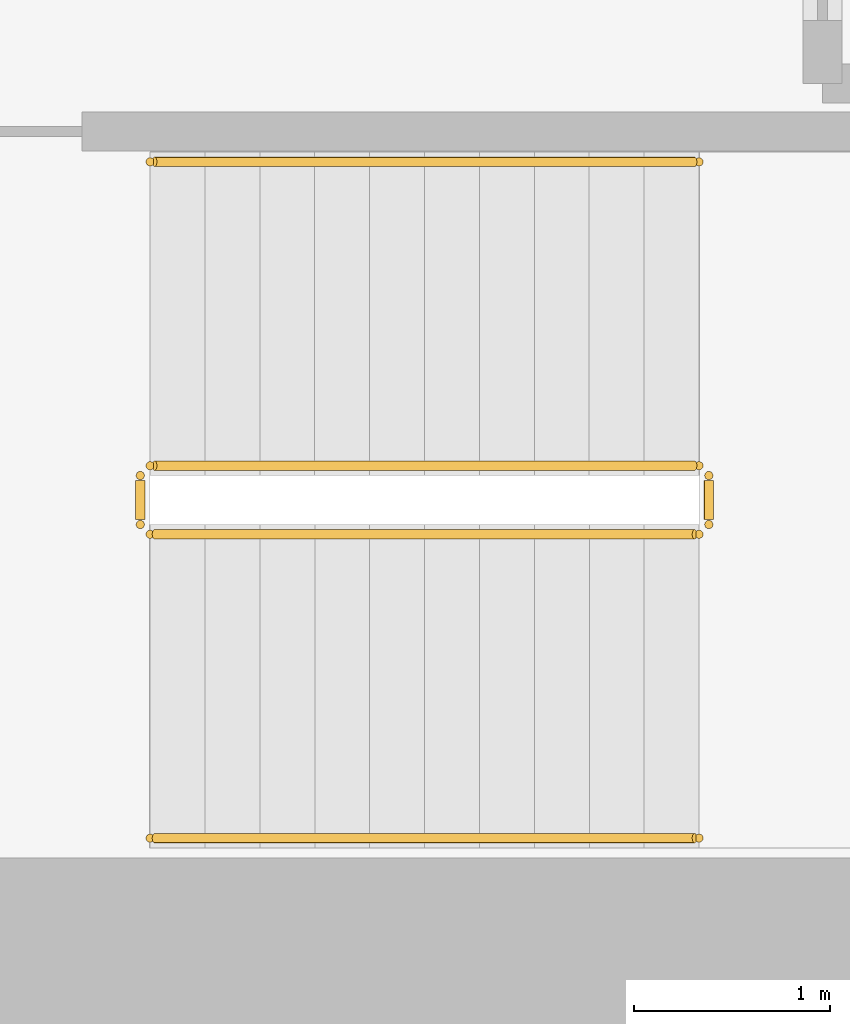
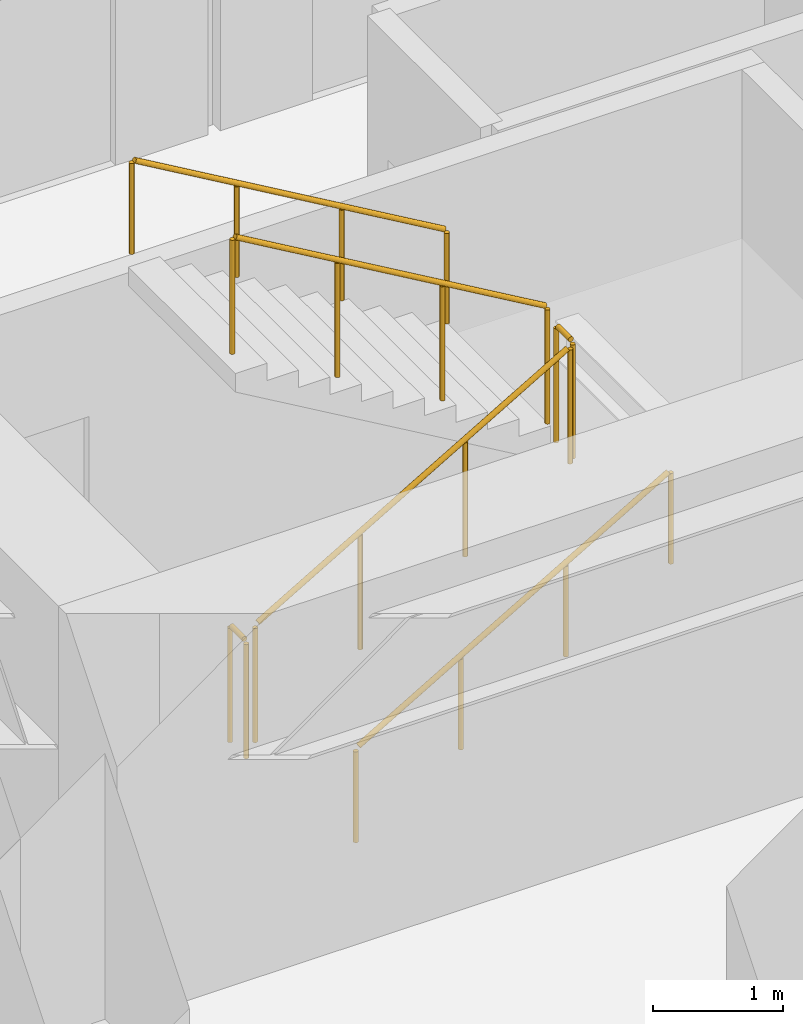
# One storey, part 14 of 15: 6 railings.
"""IFC4 building model written with IfcOpenShell, lengths in metres."""

from ifc_helpers import new_model, si_unit, direction, frame, origin, origin_2d, place, context, subcontext, project, spatial, circle, extrude, source, transform, mapped, material, layer, layer_set, type_object, element, save


model = new_model("IFC4")

# Units and contexts
model_context = context("Model", 3, precision=1e-05, world=origin(), true_north=direction((0.0, 1.0)))
body_context = subcontext(model_context, "Body", "Model", "MODEL_VIEW")
ifc_project = project(units=[si_unit("LENGTHUNIT", "METRE"), si_unit("AREAUNIT", "SQUARE_METRE"), si_unit("VOLUMEUNIT", "CUBIC_METRE"), si_unit("PLANEANGLEUNIT", "RADIAN"), si_unit("MASSUNIT", "GRAM", prefix="KILO")], contexts=[model_context])

# Site, building, storey
site_placement = place(None, origin())
site = spatial("IfcSite", under=ifc_project, at=site_placement, CompositionType="ELEMENT")
building_placement = place(site_placement, origin())
building = spatial("IfcBuilding", under=site, at=building_placement, Name="Kharzan Plaza Tower", CompositionType="ELEMENT")
storey_placement = place(building_placement, frame((0.0, 0.0, 22.5)))
storey = spatial("IfcBuildingStorey", under=building, at=storey_placement, Name="L05", CompositionType="ELEMENT", Elevation=22.5)

# Railings
ifc_material_1 = material(Name="Painted Galvanized Architectural Steel", Category="steel")
ifc_layer_1 = layer(ifc_material_1, 0.074951171875)
ifc_layer_set_1 = layer_set([ifc_layer_1], Name="Painted Galvanized Architectural Steel")
railing_type_1 = type_object("IfcRailingType", Name="RL-GUARD-1120", PredefinedType="BALUSTRADE", material=ifc_layer_set_1)
shared_shape_1 = source(origin(), body_context, "Body", "SweptSolid", [
    extrude(circle(Radius=0.02392578125, at=origin_2d()), frame((0.0, 0.0263671875, 1.09619140625), z_axis=(0.0, 1.0, 0.0), x_axis=(-1.0, 0.0, 0.0)), (0.0, 0.0, 1.0), 0.197021484375),
    extrude(circle(Radius=0.02099609375, at=origin_2d()), origin(), (0.0, 0.0, 1.0), 1.072021484375),
    extrude(circle(Radius=0.02099609375, at=origin_2d()), frame((0.0, 0.25, 0.0)), (0.0, 0.0, 1.0), 1.072021484375),
])
for number, where, name in (
    (1, (41.10009765625, 6.64990234375, 1.800048828125), "L05 ST-3 stair guard 2"),
    (2, (38.199951171875, 6.64990234375, 0.0), "L05 ST-3 stair guard 4"),
):
    element("IfcRailing", number, at=place(storey_placement, frame(where)), inside=storey, type_object=railing_type_1, Name=name, PredefinedType="BALUSTRADE", context=body_context, shape_type="MappedRepresentation", body=[
        mapped(shared_shape_1, transform((0.0, 0.0, 0.0), x_axis=(1.0, 0.0, 0.0), y_axis=(0.0, 1.0, 0.0), z_axis=(0.0, 0.0, 1.0))),
    ])
shared_shape_2 = source(origin(), body_context, "Body", "SweptSolid", [
    extrude(circle(Radius=0.02392578125, at=origin_2d()), frame((0.02294921875, 0.0, 1.109375), z_axis=(0.863360870873, 0.0, 0.504586966384), x_axis=(0.0, 1.0, 0.0)), (0.0, 0.0, 1.0), 3.190185546875),
    extrude(circle(Radius=0.02099609375, at=origin_2d()), origin(), (0.0, 0.0, 1.0), 1.072021484375),
    extrude(circle(Radius=0.02099609375, at=origin_2d()), frame((0.933349609375, 0.0, 0.54541015625)), (0.0, 0.0, 1.0), 1.072021484375),
    extrude(circle(Radius=0.02099609375, at=origin_2d()), frame((1.86669921875, 0.0, 1.091064453125)), (0.0, 0.0, 1.0), 1.072021484375),
    extrude(circle(Radius=0.02099609375, at=origin_2d()), frame((2.800048828125, 0.0, 1.636474609375)), (0.0, 0.0, 1.0), 1.072021484375),
])
railing_1_placement = place(storey_placement, frame((38.25, 6.60009765625, 0.16357421875)))
element("IfcRailing", 3, at=railing_1_placement, inside=storey, type_object=railing_type_1, Name="L05 ST-3 stair guard 1", PredefinedType="BALUSTRADE", context=body_context, shape_type="MappedRepresentation", body=[
    mapped(shared_shape_2, transform((0.0, 0.0, 0.0), x_axis=(1.0, 0.0, 0.0), y_axis=(0.0, 1.0, 0.0), z_axis=(0.0, 0.0, 1.0))),
])
shared_shape_3 = source(origin(), body_context, "Body", "SweptSolid", [
    extrude(circle(Radius=0.02392578125, at=origin_2d()), frame((-0.02294921875, 0.0, 1.109375), z_axis=(-0.863360870873, 0.0, 0.504586966384), x_axis=(0.0, -1.0, 0.0)), (0.0, 0.0, 1.0), 3.190185546875),
    extrude(circle(Radius=0.02099609375, at=origin_2d()), origin(), (0.0, 0.0, 1.0), 1.072021484375),
    extrude(circle(Radius=0.02099609375, at=origin_2d()), frame((-0.933349609375, 0.0, 0.54541015625)), (0.0, 0.0, 1.0), 1.072021484375),
    extrude(circle(Radius=0.02099609375, at=origin_2d()), frame((-1.86669921875, 0.0, 1.091064453125)), (0.0, 0.0, 1.0), 1.072021484375),
    extrude(circle(Radius=0.02099609375, at=origin_2d()), frame((-2.800048828125, 0.0, 1.636474609375)), (0.0, 0.0, 1.0), 1.072021484375),
])
railing_2_placement = place(storey_placement, frame((41.050048828125, 6.949951171875, 1.963623046875)))
element("IfcRailing", 4, at=railing_2_placement, inside=storey, type_object=railing_type_1, Name="L05 ST-3 stair guard 3", PredefinedType="BALUSTRADE", context=body_context, shape_type="MappedRepresentation", body=[
    mapped(shared_shape_3, transform((0.0, 0.0, 0.0), x_axis=(1.0, 0.0, 0.0), y_axis=(0.0, 1.0, 0.0), z_axis=(0.0, 0.0, 1.0))),
])
ifc_material_2 = material(Name="Brushed Stainless Steel", Category="steel")
ifc_layer_2 = layer(ifc_material_2, 0.050048828125)
ifc_layer_set_2 = layer_set([ifc_layer_2], Name="Brushed Stainless Steel")
railing_type_2 = type_object("IfcRailingType", Name="RL-STAIR-HR920", PredefinedType="HANDRAIL", material=ifc_layer_set_2)
shared_shape_4 = source(origin(), body_context, "Body", "SweptSolid", [
    extrude(circle(Radius=0.02392578125, at=origin_2d()), frame((0.02294921875, 0.0, 0.88916015625), z_axis=(0.863360870873, 0.0, 0.504586966384), x_axis=(0.0, 1.0, 0.0)), (0.0, 0.0, 1.0), 3.190185546875),
    extrude(circle(Radius=0.02099609375, at=origin_2d()), origin(), (0.0, 0.0, 1.0), 0.851806640625),
    extrude(circle(Radius=0.02099609375, at=origin_2d()), frame((0.933349609375, 0.0, 0.54541015625)), (0.0, 0.0, 1.0), 0.851806640625),
    extrude(circle(Radius=0.02099609375, at=origin_2d()), frame((1.86669921875, 0.0, 1.091064453125)), (0.0, 0.0, 1.0), 0.851806640625),
    extrude(circle(Radius=0.02099609375, at=origin_2d()), frame((2.800048828125, 0.0, 1.636474609375)), (0.0, 0.0, 1.0), 0.851806640625),
])
railing_3_placement = place(storey_placement, frame((38.25, 5.050048828125, 0.16357421875)))
element("IfcRailing", 5, at=railing_3_placement, inside=storey, type_object=railing_type_2, Name="L05 ST-3 stair handrail 1", PredefinedType="HANDRAIL", context=body_context, shape_type="MappedRepresentation", body=[
    mapped(shared_shape_4, transform((0.0, 0.0, 0.0), x_axis=(1.0, 0.0, 0.0), y_axis=(0.0, 1.0, 0.0), z_axis=(0.0, 0.0, 1.0))),
])
shared_shape_5 = source(origin(), body_context, "Body", "SweptSolid", [
    extrude(circle(Radius=0.02392578125, at=origin_2d()), frame((-0.02294921875, 0.0, 0.88916015625), z_axis=(-0.863360870873, 0.0, 0.504586966384), x_axis=(0.0, -1.0, 0.0)), (0.0, 0.0, 1.0), 3.190185546875),
    extrude(circle(Radius=0.02099609375, at=origin_2d()), origin(), (0.0, 0.0, 1.0), 0.851806640625),
    extrude(circle(Radius=0.02099609375, at=origin_2d()), frame((-0.933349609375, 0.0, 0.54541015625)), (0.0, 0.0, 1.0), 0.851806640625),
    extrude(circle(Radius=0.02099609375, at=origin_2d()), frame((-1.86669921875, 0.0, 1.091064453125)), (0.0, 0.0, 1.0), 0.851806640625),
    extrude(circle(Radius=0.02099609375, at=origin_2d()), frame((-2.800048828125, 0.0, 1.636474609375)), (0.0, 0.0, 1.0), 0.851806640625),
])
railing_4_placement = place(storey_placement, frame((41.050048828125, 8.5, 1.963623046875)))
element("IfcRailing", 6, at=railing_4_placement, inside=storey, type_object=railing_type_2, Name="L05 ST-3 stair handrail 2", PredefinedType="HANDRAIL", context=body_context, shape_type="MappedRepresentation", body=[
    mapped(shared_shape_5, transform((0.0, 0.0, 0.0), x_axis=(1.0, 0.0, 0.0), y_axis=(0.0, 1.0, 0.0), z_axis=(0.0, 0.0, 1.0))),
])

save(model, "model.ifc")
